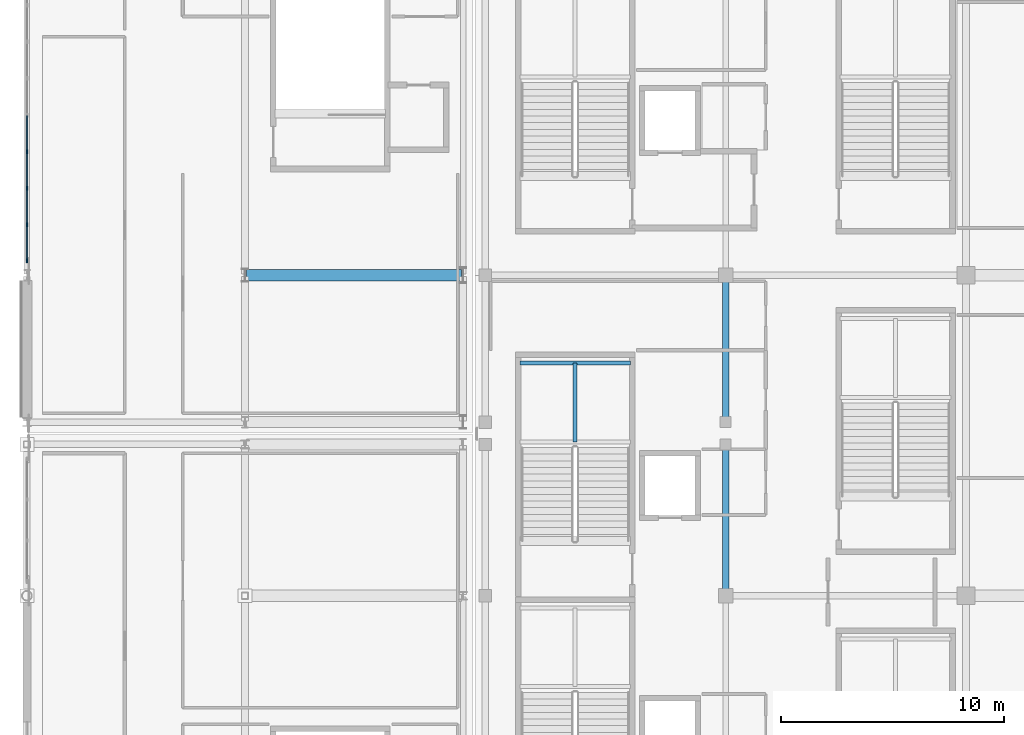
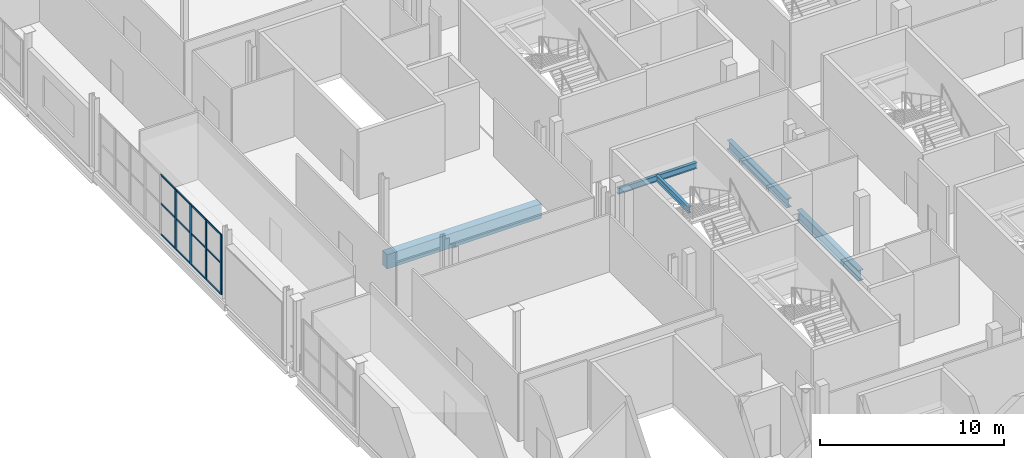
# One storey, part 29 of 142: 16 members, 5 beams, 1 element without a shape of its own.
"""IFC4 building model written with IfcOpenShell, lengths in metres."""

from ifc_helpers import new_model, si_unit, direction, frame, origin, origin_2d, place, context, subcontext, project, spatial, rectangle, i_section, extrude, material, material_profile, profile_set, type_object, element, aggregate, save


model = new_model("IFC4")

# Units and contexts
model_context = context("Model", 3, precision=1e-05, world=origin(), true_north=direction((0.0, 1.0)))
body_context = subcontext(model_context, "Body", "Model", "MODEL_VIEW")
ifc_project = project(units=[si_unit("LENGTHUNIT", "METRE"), si_unit("AREAUNIT", "SQUARE_METRE"), si_unit("VOLUMEUNIT", "CUBIC_METRE"), si_unit("PLANEANGLEUNIT", "RADIAN"), si_unit("MASSUNIT", "GRAM", prefix="KILO")], contexts=[model_context])

# Site, building, storey
site_placement = place(None, origin())
site = spatial("IfcSite", under=ifc_project, at=site_placement, CompositionType="ELEMENT")
building_placement = place(site_placement, origin())
building = spatial("IfcBuilding", under=site, at=building_placement, Name="Koshinbarg Plaza Stadium", CompositionType="ELEMENT")
storey_placement = place(building_placement, frame((0.0, 0.0, 10.199951171875)))
storey = spatial("IfcBuildingStorey", under=building, at=storey_placement, Name="L02", CompositionType="ELEMENT", Elevation=10.199951171875)

# Beams
ifc_material_1 = material(Name="Concrete C40/50", Category="concrete")
ifc_material_profile_1 = material_profile(ifc_material_1, rectangle(XDim=0.5, YDim=0.949951171875, at=origin_2d()), Name="RC 500x950")
ifc_profile_set_1 = profile_set([ifc_material_profile_1], Name="Concrete C40/50")
beam_type_1 = type_object("IfcBeamType", Name="BM-RCG-06", PredefinedType="USERDEFINED", material=ifc_profile_set_1)
beam_1_placement = place(storey_placement, frame((13.860107421875, 83.10009765625, -0.77490234375), z_axis=(1.0, 0.0, 0.0), x_axis=(0.0, 1.0, 0.0)))
element("IfcBeam", 1, at=beam_1_placement, inside=storey, type_object=beam_type_1, Name="L02 X girder M/3-4", ObjectType="GIRDER", PredefinedType="USERDEFINED", context=body_context, shape_type="SweptSolid", body=[
    extrude(rectangle(XDim=0.5, YDim=0.949951171875, at=origin_2d()), origin(), (0.0, 0.0, 1.0), 9.679931640625),
])
ifc_material_2 = material(Name="Steel S355", Category="steel")
ifc_material_profile_2 = material_profile(ifc_material_2, i_section(OverallWidth=0.179931640625, OverallDepth=0.39990234375, WebThickness=0.008544921875, FlangeThickness=0.013427734375, at=origin_2d()), Name="IPE 400")
ifc_profile_set_2 = profile_set([ifc_material_profile_2], Name="Steel S355")
beam_type_2 = type_object("IfcBeamType", Name="BM-SBM-01", PredefinedType="BEAM", material=ifc_profile_set_2)
beam_2_placement = place(storey_placement, frame((26.14990234375, 79.14990234375, 1.880126953125), z_axis=(1.0, 0.0, 0.0), x_axis=(0.0, 1.0, 0.0)))
element("IfcBeam", 2, at=beam_2_placement, inside=storey, type_object=beam_type_2, Name="L02 Protected Exit Stair C04 landing trimmer beam 2", PredefinedType="BEAM", context=body_context, shape_type="SweptSolid", body=[
    extrude(i_section(OverallWidth=0.179931640625, OverallDepth=0.39990234375, WebThickness=0.008544921875, FlangeThickness=0.013427734375, at=origin_2d()), origin(), (0.0, 0.0, 1.0), 4.97021484375),
])
beam_3_placement = place(storey_placement, frame((28.635009765625, 75.610107421875, 1.880126953125), z_axis=(0.0, 1.0, 0.0), x_axis=(-1.0, 0.0, 0.0)))
element("IfcBeam", 3, at=beam_3_placement, inside=storey, type_object=beam_type_2, Name="L02 Protected Exit Stair C04 landing trimmer beam 3", PredefinedType="BEAM", context=body_context, shape_type="SweptSolid", body=[
    extrude(i_section(OverallWidth=0.179931640625, OverallDepth=0.39990234375, WebThickness=0.008544921875, FlangeThickness=0.013427734375, at=origin_2d()), origin(), (0.0, 0.0, 1.0), 3.539794921875),
])
ifc_material_profile_3 = material_profile(ifc_material_2, i_section(OverallWidth=0.300048828125, OverallDepth=0.60009765625, WebThickness=0.015380859375, FlangeThickness=0.030029296875, at=origin_2d()), Name="HEB 600")
ifc_profile_set_3 = profile_set([ifc_material_profile_3], Name="Steel S355")
beam_type_3 = type_object("IfcBeamType", Name="BM-SGIR-02", PredefinedType="USERDEFINED", material=ifc_profile_set_3)
beam_4_placement = place(storey_placement, frame((35.39990234375, 76.56005859375, -0.599853515625), z_axis=(0.0, 1.0, 0.0), x_axis=(-1.0, 0.0, 0.0)))
element("IfcBeam", 4, at=beam_4_placement, inside=storey, type_object=beam_type_3, Name="L02 Y girder 6/L-M", ObjectType="GIRDER", PredefinedType="USERDEFINED", context=body_context, shape_type="SweptSolid", body=[
    extrude(i_section(OverallWidth=0.300048828125, OverallDepth=0.60009765625, WebThickness=0.015380859375, FlangeThickness=0.030029296875, at=origin_2d()), origin(), (0.0, 0.0, 1.0), 6.47998046875),
])
ifc_material_profile_4 = material_profile(ifc_material_2, i_section(OverallWidth=0.300048828125, OverallDepth=0.699951171875, WebThickness=0.01708984375, FlangeThickness=0.031982421875, at=origin_2d()), Name="HEB 700")
ifc_profile_set_4 = profile_set([ifc_material_profile_4], Name="Steel S355")
beam_type_4 = type_object("IfcBeamType", Name="BM-SGIR-03", PredefinedType="USERDEFINED", material=ifc_profile_set_4)
beam_5_placement = place(storey_placement, frame((35.39990234375, 68.760009765625, -0.64990234375), z_axis=(0.0, 1.0, 0.0), x_axis=(-1.0, 0.0, 0.0)))
element("IfcBeam", 5, at=beam_5_placement, inside=storey, type_object=beam_type_4, Name="L02 Y girder 6/J-K", ObjectType="GIRDER", PredefinedType="USERDEFINED", context=body_context, shape_type="SweptSolid", body=[
    extrude(i_section(OverallWidth=0.300048828125, OverallDepth=0.699951171875, WebThickness=0.01708984375, FlangeThickness=0.031982421875, at=origin_2d()), origin(), (0.0, 0.0, 1.0), 6.679931640625),
])

# Curtain wall, members
ifc_material_3 = material(Name="Thermally broken anodised aluminium and low-E double glazing", Category="aluminium")
curtain_wall_type = type_object("IfcCurtainWallType", Name="CW-SYS-11", PredefinedType="NOTDEFINED", material=ifc_material_3)
curtain_wall_placement = place(storey_placement, origin())
curtain_wall = element("IfcCurtainWall", 6, at=curtain_wall_placement, inside=storey, type_object=curtain_wall_type, Name="L02 unitised curtain wall CW-L02-042", PredefinedType="NOTDEFINED")
ifc_material_4 = material(Name="Anodised aluminium mullion", Category="aluminium")
ifc_material_profile_5 = material_profile(ifc_material_4, rectangle(XDim=0.070068359375, YDim=0.179931640625, at=origin_2d()), Name="ALU 70x180")
ifc_profile_set_5 = profile_set([ifc_material_profile_5], Name="Anodised aluminium mullion")
member_type_1 = type_object("IfcMemberType", Name="CW-MUL-03", PredefinedType="MULLION", material=ifc_profile_set_5)
member_1_placement = place(storey_placement, frame((4.0, 83.75, 0.0), z_axis=(0.0, 0.0, 1.0), x_axis=(-1.0, 0.0, 0.0)))
member_1 = element("IfcMember", 7, at=member_1_placement, type_object=member_type_1, Name="CW11 mullion 1", PredefinedType="MULLION", context=body_context, shape_type="SweptSolid", body=[
    extrude(rectangle(XDim=0.070068359375, YDim=0.179931640625, at=origin_2d()), origin(), (0.0, 0.0, 1.0), 3.969970703125),
])
member_2_placement = place(storey_placement, frame((4.0, 85.364990234375, 0.0), z_axis=(0.0, 0.0, 1.0), x_axis=(-1.0, 0.0, 0.0)))
member_2 = element("IfcMember", 8, at=member_2_placement, type_object=member_type_1, Name="CW11 mullion 2", PredefinedType="MULLION", context=body_context, shape_type="SweptSolid", body=[
    extrude(rectangle(XDim=0.070068359375, YDim=0.179931640625, at=origin_2d()), origin(), (0.0, 0.0, 1.0), 3.969970703125),
])
member_3_placement = place(storey_placement, frame((4.0, 87.010009765625, 0.0), z_axis=(0.0, 0.0, 1.0), x_axis=(-1.0, 0.0, 0.0)))
member_3 = element("IfcMember", 9, at=member_3_placement, type_object=member_type_1, Name="CW11 mullion 3", PredefinedType="MULLION", context=body_context, shape_type="SweptSolid", body=[
    extrude(rectangle(XDim=0.070068359375, YDim=0.179931640625, at=origin_2d()), origin(), (0.0, 0.0, 1.0), 3.969970703125),
])
member_4_placement = place(storey_placement, frame((4.0, 88.655029296875, 0.0), z_axis=(0.0, 0.0, 1.0), x_axis=(-1.0, 0.0, 0.0)))
member_4 = element("IfcMember", 10, at=member_4_placement, type_object=member_type_1, Name="CW11 mullion 4", PredefinedType="MULLION", context=body_context, shape_type="SweptSolid", body=[
    extrude(rectangle(XDim=0.070068359375, YDim=0.179931640625, at=origin_2d()), origin(), (0.0, 0.0, 1.0), 3.969970703125),
])
ifc_material_5 = material(Name="Anodised aluminium transom", Category="aluminium")
ifc_material_profile_6 = material_profile(ifc_material_5, rectangle(XDim=0.06005859375, YDim=0.110107421875, at=origin_2d()), Name="ALU 60x110")
ifc_profile_set_6 = profile_set([ifc_material_profile_6], Name="Anodised aluminium transom")
member_type_2 = type_object("IfcMemberType", Name="CW-TRN-01", PredefinedType="USERDEFINED", material=ifc_profile_set_6)
member_5_placement = place(storey_placement, frame((4.0, 83.780029296875, 0.030029296875), z_axis=(0.0, 1.0, 0.0), x_axis=(-1.0, 0.0, 0.0)))
member_5 = element("IfcMember", 11, at=member_5_placement, type_object=member_type_2, Name="CW11 transom 1.1", ObjectType="TRANSOM", PredefinedType="USERDEFINED", context=body_context, shape_type="SweptSolid", body=[
    extrude(rectangle(XDim=0.06005859375, YDim=0.110107421875, at=origin_2d()), origin(), (0.0, 0.0, 1.0), 1.554931640625),
])
member_6_placement = place(storey_placement, frame((4.0, 83.780029296875, 2.064453125), z_axis=(0.0, 1.0, 0.0), x_axis=(-1.0, 0.0, 0.0)))
member_6 = element("IfcMember", 12, at=member_6_placement, type_object=member_type_2, Name="CW11 transom 1.2", ObjectType="TRANSOM", PredefinedType="USERDEFINED", context=body_context, shape_type="SweptSolid", body=[
    extrude(rectangle(XDim=0.06005859375, YDim=0.110107421875, at=origin_2d()), origin(), (0.0, 0.0, 1.0), 1.554931640625),
])
member_7_placement = place(storey_placement, frame((4.0, 83.780029296875, 3.93994140625), z_axis=(0.0, 1.0, 0.0), x_axis=(-1.0, 0.0, 0.0)))
member_7 = element("IfcMember", 13, at=member_7_placement, type_object=member_type_2, Name="CW11 transom 1.3", ObjectType="TRANSOM", PredefinedType="USERDEFINED", context=body_context, shape_type="SweptSolid", body=[
    extrude(rectangle(XDim=0.06005859375, YDim=0.110107421875, at=origin_2d()), origin(), (0.0, 0.0, 1.0), 1.554931640625),
])
member_8_placement = place(storey_placement, frame((4.0, 85.39501953125, 0.030029296875), z_axis=(0.0, 1.0, 0.0), x_axis=(-1.0, 0.0, 0.0)))
member_8 = element("IfcMember", 14, at=member_8_placement, type_object=member_type_2, Name="CW11 transom 2.1", ObjectType="TRANSOM", PredefinedType="USERDEFINED", context=body_context, shape_type="SweptSolid", body=[
    extrude(rectangle(XDim=0.06005859375, YDim=0.110107421875, at=origin_2d()), origin(), (0.0, 0.0, 1.0), 1.5849609375),
])
member_9_placement = place(storey_placement, frame((4.0, 85.39501953125, 2.064453125), z_axis=(0.0, 1.0, 0.0), x_axis=(-1.0, 0.0, 0.0)))
member_9 = element("IfcMember", 15, at=member_9_placement, type_object=member_type_2, Name="CW11 transom 2.2", ObjectType="TRANSOM", PredefinedType="USERDEFINED", context=body_context, shape_type="SweptSolid", body=[
    extrude(rectangle(XDim=0.06005859375, YDim=0.110107421875, at=origin_2d()), origin(), (0.0, 0.0, 1.0), 1.5849609375),
])
member_10_placement = place(storey_placement, frame((4.0, 85.39501953125, 3.93994140625), z_axis=(0.0, 1.0, 0.0), x_axis=(-1.0, 0.0, 0.0)))
member_10 = element("IfcMember", 16, at=member_10_placement, type_object=member_type_2, Name="CW11 transom 2.3", ObjectType="TRANSOM", PredefinedType="USERDEFINED", context=body_context, shape_type="SweptSolid", body=[
    extrude(rectangle(XDim=0.06005859375, YDim=0.110107421875, at=origin_2d()), origin(), (0.0, 0.0, 1.0), 1.5849609375),
])
member_11_placement = place(storey_placement, frame((4.0, 87.0400390625, 0.030029296875), z_axis=(0.0, 1.0, 0.0), x_axis=(-1.0, 0.0, 0.0)))
member_11 = element("IfcMember", 17, at=member_11_placement, type_object=member_type_2, Name="CW11 transom 3.1", ObjectType="TRANSOM", PredefinedType="USERDEFINED", context=body_context, shape_type="SweptSolid", body=[
    extrude(rectangle(XDim=0.06005859375, YDim=0.110107421875, at=origin_2d()), origin(), (0.0, 0.0, 1.0), 1.5849609375),
])
member_12_placement = place(storey_placement, frame((4.0, 87.0400390625, 2.064453125), z_axis=(0.0, 1.0, 0.0), x_axis=(-1.0, 0.0, 0.0)))
member_12 = element("IfcMember", 18, at=member_12_placement, type_object=member_type_2, Name="CW11 transom 3.2", ObjectType="TRANSOM", PredefinedType="USERDEFINED", context=body_context, shape_type="SweptSolid", body=[
    extrude(rectangle(XDim=0.06005859375, YDim=0.110107421875, at=origin_2d()), origin(), (0.0, 0.0, 1.0), 1.5849609375),
])
member_13_placement = place(storey_placement, frame((4.0, 87.0400390625, 3.93994140625), z_axis=(0.0, 1.0, 0.0), x_axis=(-1.0, 0.0, 0.0)))
member_13 = element("IfcMember", 19, at=member_13_placement, type_object=member_type_2, Name="CW11 transom 3.3", ObjectType="TRANSOM", PredefinedType="USERDEFINED", context=body_context, shape_type="SweptSolid", body=[
    extrude(rectangle(XDim=0.06005859375, YDim=0.110107421875, at=origin_2d()), origin(), (0.0, 0.0, 1.0), 1.5849609375),
])
member_14_placement = place(storey_placement, frame((4.0, 88.68505859375, 0.030029296875), z_axis=(0.0, 1.0, 0.0), x_axis=(-1.0, 0.0, 0.0)))
member_14 = element("IfcMember", 20, at=member_14_placement, type_object=member_type_2, Name="CW11 transom 4.1", ObjectType="TRANSOM", PredefinedType="USERDEFINED", context=body_context, shape_type="SweptSolid", body=[
    extrude(rectangle(XDim=0.06005859375, YDim=0.110107421875, at=origin_2d()), origin(), (0.0, 0.0, 1.0), 1.5849609375),
])
member_15_placement = place(storey_placement, frame((4.0, 88.68505859375, 2.064453125), z_axis=(0.0, 1.0, 0.0), x_axis=(-1.0, 0.0, 0.0)))
member_15 = element("IfcMember", 21, at=member_15_placement, type_object=member_type_2, Name="CW11 transom 4.2", ObjectType="TRANSOM", PredefinedType="USERDEFINED", context=body_context, shape_type="SweptSolid", body=[
    extrude(rectangle(XDim=0.06005859375, YDim=0.110107421875, at=origin_2d()), origin(), (0.0, 0.0, 1.0), 1.5849609375),
])
member_16_placement = place(storey_placement, frame((4.0, 88.68505859375, 3.93994140625), z_axis=(0.0, 1.0, 0.0), x_axis=(-1.0, 0.0, 0.0)))
member_16 = element("IfcMember", 22, at=member_16_placement, type_object=member_type_2, Name="CW11 transom 4.3", ObjectType="TRANSOM", PredefinedType="USERDEFINED", context=body_context, shape_type="SweptSolid", body=[
    extrude(rectangle(XDim=0.06005859375, YDim=0.110107421875, at=origin_2d()), origin(), (0.0, 0.0, 1.0), 1.5849609375),
])
aggregate(curtain_wall, [member_1, member_2, member_3, member_4, member_5, member_6, member_7, member_8, member_9, member_10, member_11, member_12, member_13, member_14, member_15, member_16])

save(model, "model.ifc")
